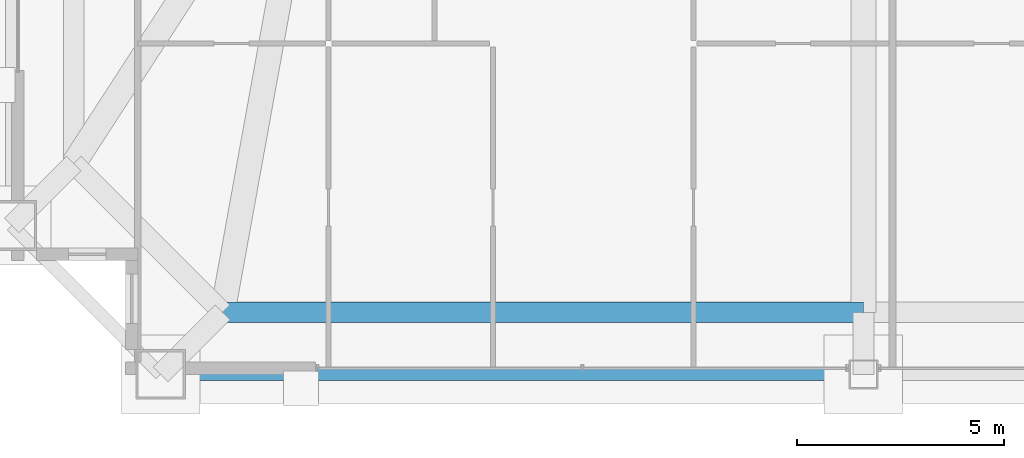
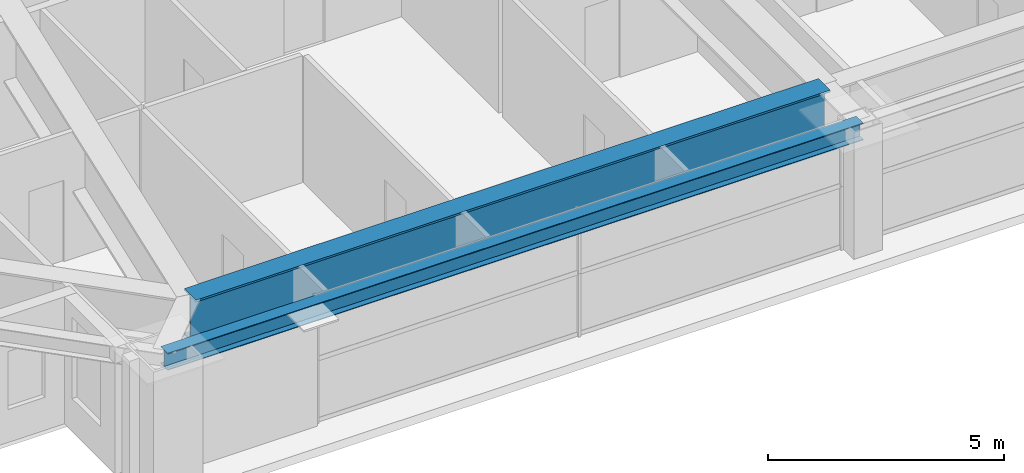
# One storey, part 5 of 33: 2 beams.
"""IFC4 building model written with IfcOpenShell, lengths in metres."""

from ifc_helpers import new_model, si_unit, direction, frame, origin, origin_2d, place, context, subcontext, project, spatial, i_section, extrude, source, transform, mapped, material, material_profile, profile_set, type_object, element, save


model = new_model("IFC4")

# Units and contexts
model_context = context("Model", 3, precision=1e-05, world=origin(), true_north=direction((0.0, 1.0)))
body_context = subcontext(model_context, "Body", "Model", "MODEL_VIEW")
ifc_project = project(units=[si_unit("LENGTHUNIT", "METRE"), si_unit("AREAUNIT", "SQUARE_METRE"), si_unit("VOLUMEUNIT", "CUBIC_METRE"), si_unit("PLANEANGLEUNIT", "RADIAN"), si_unit("MASSUNIT", "GRAM", prefix="KILO"), si_unit("THERMODYNAMICTEMPERATUREUNIT", "KELVIN"), si_unit("POWERUNIT", "WATT")], contexts=[model_context])

# Site, building, storey
site_placement = place(None, origin())
site = spatial("IfcSite", under=ifc_project, at=site_placement, CompositionType="ELEMENT")
building_placement = place(site_placement, origin())
building = spatial("IfcBuilding", under=site, at=building_placement, Name="Yuzanri Waterfront Tower", CompositionType="ELEMENT")
storey_placement = place(building_placement, frame((0.0, 0.0, 282.10009765625)))
storey = spatial("IfcBuildingStorey", under=building, at=storey_placement, Name="L75", CompositionType="ELEMENT", Elevation=282.10009765625)

# Beams
ifc_material_1 = material(Name="Steel Q355B", Category="steel")
ifc_material_profile_1 = material_profile(ifc_material_1, i_section(OverallWidth=0.300048828125, OverallDepth=0.43994140625, WebThickness=0.010986328125, FlangeThickness=0.01806640625, at=origin_2d()), Name="HM 440x300x11x18")
ifc_profile_set_1 = profile_set([ifc_material_profile_1], Name="Steel Q355B")
beam_type_1 = type_object("IfcBeamType", Name="Perimeter Spandrel Q355B HM 440x300", PredefinedType="SPANDREL", material=ifc_profile_set_1)
shared_shape_1 = source(origin(), body_context, "Body", "SweptSolid", [
    extrude(i_section(OverallWidth=0.300048828125, OverallDepth=0.43994140625, WebThickness=0.010986328125, FlangeThickness=0.01806640625, at=origin_2d()), origin(), (0.0, 0.0, 1.0), 17.0),
])
beam_1_placement = place(storey_placement, frame((20.0, 5.199951171875, 3.059814453125), z_axis=(1.0, 0.0, 0.0), x_axis=(0.0, 1.0, 0.0)))
element("IfcBeam", 1, at=beam_1_placement, inside=storey, type_object=beam_type_1, Name="L75 Perimeter Spandrel S1-S2", PredefinedType="SPANDREL", context=body_context, shape_type="MappedRepresentation", body=[
    mapped(shared_shape_1, transform((0.0, 0.0, 0.0), scale=1.0)),
])
ifc_material_2 = material(Name="Steel Q420GJC", Category="steel")
ifc_material_profile_2 = material_profile(ifc_material_2, i_section(OverallWidth=0.5, OverallDepth=1.199951171875, WebThickness=0.028076171875, FlangeThickness=0.050048828125, at=origin_2d()), Name="PG 1200x500x28x50")
ifc_profile_set_2 = profile_set([ifc_material_profile_2], Name="Steel Q420GJC")
beam_type_2 = type_object("IfcBeamType", Name="Setback Transfer Girder Q420GJC PG 1200x500", PredefinedType="USERDEFINED", material=ifc_profile_set_2)
shared_shape_2 = source(origin(), body_context, "Body", "SweptSolid", [
    extrude(i_section(OverallWidth=0.5, OverallDepth=1.199951171875, WebThickness=0.028076171875, FlangeThickness=0.050048828125, at=origin_2d()), origin(), (0.0, 0.0, 1.0), 15.5),
])
beam_2_placement = place(storey_placement, frame((21.5, 6.699951171875, 2.679931640625), z_axis=(1.0, 0.0, 0.0), x_axis=(0.0, 1.0, 0.0)))
element("IfcBeam", 2, at=beam_2_placement, inside=storey, type_object=beam_type_2, Name="L75 Setback Upper Ring S1-S2", ObjectType="GIRDER", PredefinedType="USERDEFINED", context=body_context, shape_type="MappedRepresentation", body=[
    mapped(shared_shape_2, transform((0.0, 0.0, 0.0), scale=1.0)),
])

save(model, "model.ifc")
